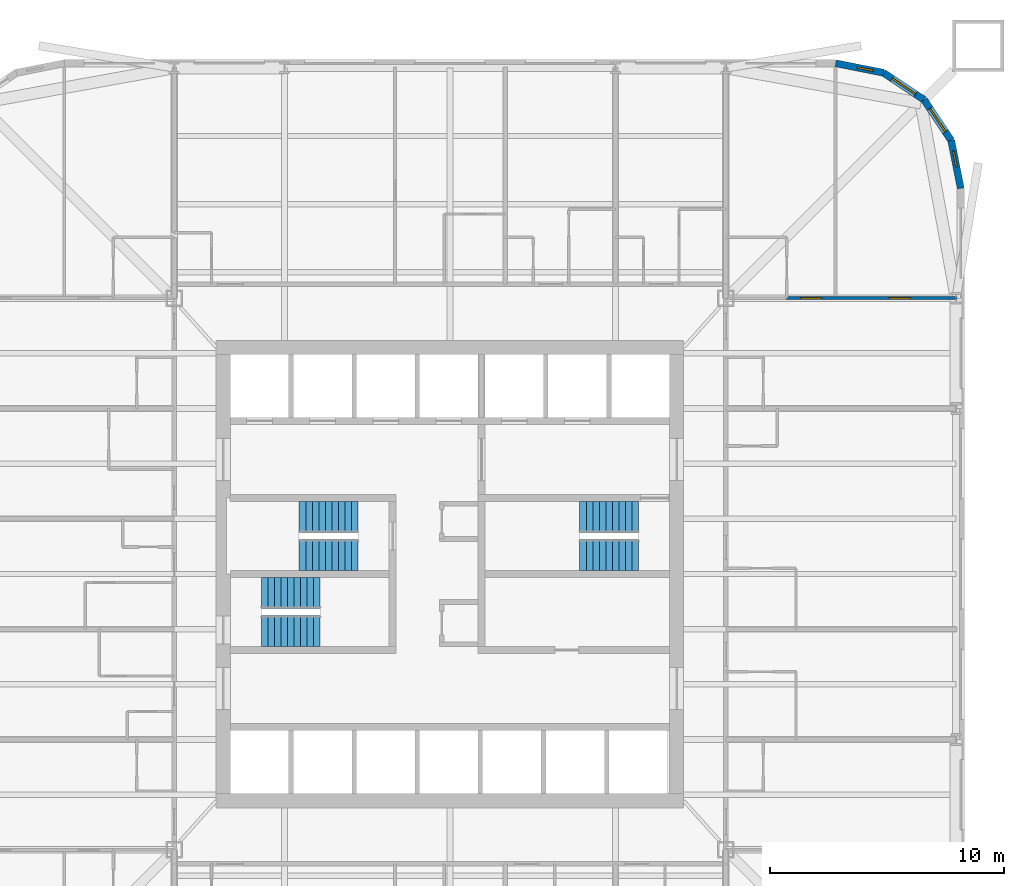
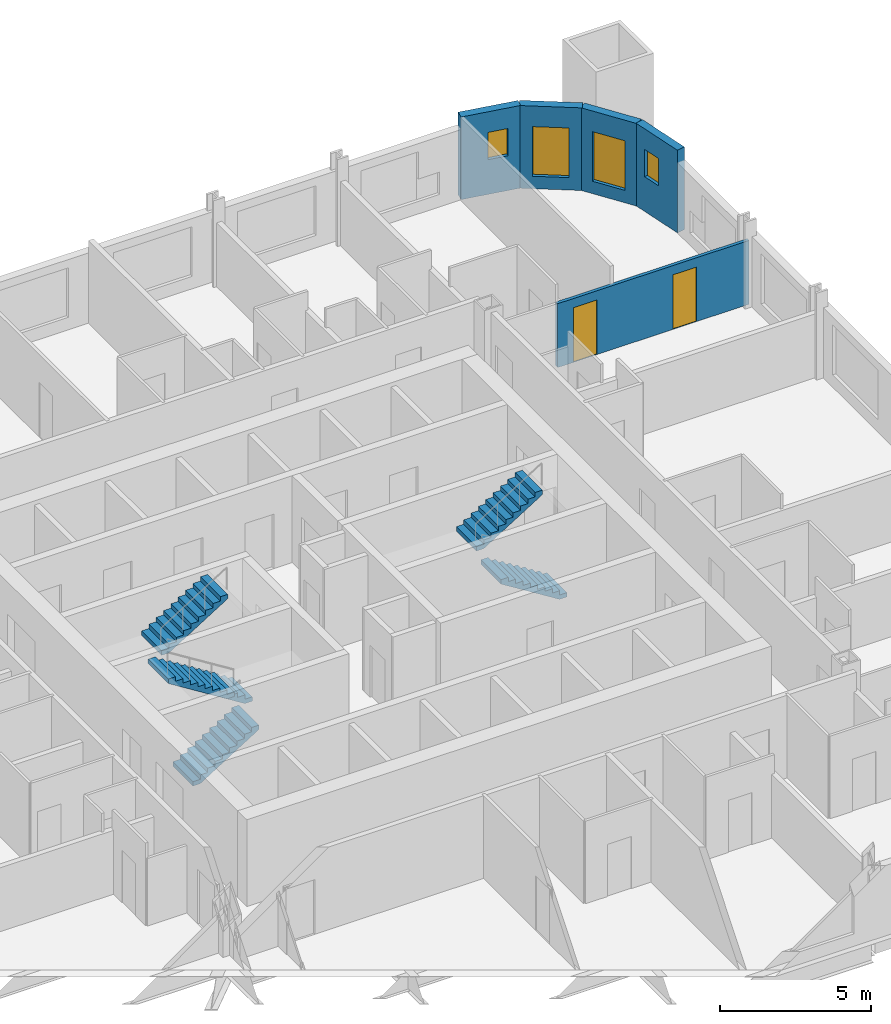
# One storey, part 9 of 10: 6 stair flights, 5 walls, 4 windows, 2 doors, 6 openings, 3 elements without a shape of their own.
"""IFC4 building model written with IfcOpenShell, lengths in metres."""

from ifc_helpers import new_model, si_unit, direction, frame, frame_2d, origin, place, context, subcontext, project, spatial, polyline, rectangle, outline, extrude, material, layer, layer_set, type_object, element, fill, aggregate, save


model = new_model("IFC4")

# Units and contexts
model_context = context("Model", 3, precision=1e-05, world=origin(), true_north=direction((0.0, 1.0)))
body_context = subcontext(model_context, "Body", "Model", "MODEL_VIEW")
ifc_project = project(units=[si_unit("LENGTHUNIT", "METRE"), si_unit("AREAUNIT", "SQUARE_METRE"), si_unit("VOLUMEUNIT", "CUBIC_METRE"), si_unit("PLANEANGLEUNIT", "RADIAN"), si_unit("MASSUNIT", "GRAM", prefix="KILO")], contexts=[model_context])

# Site, building, storey
site_placement = place(None, origin())
site = spatial("IfcSite", under=ifc_project, at=site_placement, CompositionType="ELEMENT")
building_placement = place(site_placement, origin())
building = spatial("IfcBuilding", under=site, at=building_placement, Name="Turquesa Mirador Hotel Tower", CompositionType="ELEMENT")
storey_placement = place(building_placement, frame((0.0, 0.0, 32.0)))
storey = spatial("IfcBuildingStorey", under=building, at=storey_placement, Name="L07", CompositionType="ELEMENT", Elevation=32.0)

# Wall, opening, window
ifc_material_1 = material(Name="Limestone cladding on concrete block", Category="masonry")
ifc_layer_1 = layer(ifc_material_1, 0.300048828125)
ifc_layer_set_1 = layer_set([ifc_layer_1], Name="FACADE WALL 300 STONE SCREEN")
wall_type_1 = type_object("IfcWallType", Name="FACADE WALL 300 STONE SCREEN", PredefinedType="SOLIDWALL", material=ifc_layer_set_1)
wall_1_placement = place(storey_placement, frame((76.85009765625, 61.5, 0.0), z_axis=(0.0, 0.0, 1.0), x_axis=(-0.195081421501, 0.980787050784, 0.0)))
wall_1 = element("IfcWall", 1, at=wall_1_placement, inside=storey, type_object=wall_type_1, Name="Facade wall L07 05", PredefinedType="SOLIDWALL", context=body_context, shape_type="SweptSolid", body=[
    extrude(rectangle(XDim=2.08740234375, YDim=0.300048828125, at=frame_2d((1.043701171875, 0.0))), origin(), (0.0, 0.0, 1.0), 3.330078125),
])
opening_1_placement = place(wall_1_placement, frame((0.943603515625, 0.0, 1.39990234375)))
opening_1 = element("IfcOpeningElement", 2, at=opening_1_placement, cuts=wall_1, Name="Opening WN16", PredefinedType="OPENING", context=body_context, shape_type="SweptSolid", body=[
    extrude(rectangle(XDim=0.699951171875, YDim=1.10009765625, at=frame_2d((0.35009765625, 0.550048828125))), frame((0.0, 0.159912109375, 0.0), z_axis=(0.0, -1.0, 0.0), x_axis=(1.0, 0.0, 0.0)), (0.0, 0.0, 1.0), 0.320068359375),
])
ifc_material_2 = material(Name="Ceramic-fritted laminated glass", Category="glass")
window_type_1 = type_object("IfcWindowType", Name="FRITTED CORNER WINDOW 700X1100", PartitioningType="DOUBLE_PANEL_HORIZONTAL", PredefinedType="WINDOW", material=ifc_material_2)
window_1_placement = place(opening_1_placement, origin())
window_1 = element("IfcWindow", 3, at=window_1_placement, inside=storey, type_object=window_type_1, Name="Window L07", OverallHeight=1.10009765625, OverallWidth=0.699951171875, PartitioningType="SINGLE_PANEL", PredefinedType="WINDOW", context=body_context, shape_type="SweptSolid", body=[
    extrude(rectangle(XDim=0.699951171875, YDim=1.10009765625, at=frame_2d((0.35009765625, 0.550048828125))), frame((0.0, 0.030029296875, 0.0), z_axis=(0.0, -1.0, 0.0), x_axis=(1.0, 0.0, 0.0)), (0.0, 0.0, 1.0), 0.06005859375),
])
fill(opening_1, window_1)

wall_2_placement = place(storey_placement, frame((76.44287109375, 63.54736328125, 0.0), z_axis=(0.0, 0.0, 1.0), x_axis=(-0.555644460423, 0.831420010345, 0.0)))
wall_2 = element("IfcWall", 4, at=wall_2_placement, inside=storey, type_object=wall_type_1, Name="Facade wall L07 06", PredefinedType="SOLIDWALL", context=body_context, shape_type="SweptSolid", body=[
    extrude(rectangle(XDim=2.08740234375, YDim=0.300048828125, at=frame_2d((1.043701171875, 0.0))), origin(), (0.0, 0.0, 1.0), 3.330078125),
])
opening_2_placement = place(wall_2_placement, frame((0.443603515625, 0.0, 0.5)))
opening_2 = element("IfcOpeningElement", 5, at=opening_2_placement, cuts=wall_2, Name="Opening WN4", PredefinedType="OPENING", context=body_context, shape_type="SweptSolid", body=[
    extrude(rectangle(XDim=1.199951171875, YDim=2.0, at=frame_2d((0.60009765625, 1.0))), frame((0.0, 0.159912109375, 0.0), z_axis=(0.0, -1.0, 0.0), x_axis=(1.0, 0.0, 0.0)), (0.0, 0.0, 1.0), 0.320068359375),
])
ifc_material_3 = material(Name="Ceramic-fritted laminated glass", Category="glass")
window_type_2 = type_object("IfcWindowType", Name="FRITTED CORNER WINDOW 1200X2000", PartitioningType="DOUBLE_PANEL_HORIZONTAL", PredefinedType="WINDOW", material=ifc_material_3)
window_2_placement = place(opening_2_placement, origin())
window_2 = element("IfcWindow", 6, at=window_2_placement, inside=storey, type_object=window_type_2, Name="Window L07", OverallHeight=2.0, OverallWidth=1.199951171875, PartitioningType="SINGLE_PANEL", PredefinedType="WINDOW", context=body_context, shape_type="SweptSolid", body=[
    extrude(rectangle(XDim=1.199951171875, YDim=2.0, at=frame_2d((0.60009765625, 1.0))), frame((0.0, 0.030029296875, 0.0), z_axis=(0.0, -1.0, 0.0), x_axis=(1.0, 0.0, 0.0)), (0.0, 0.0, 1.0), 0.06005859375),
])
fill(opening_2, window_2)

wall_3_placement = place(storey_placement, frame((75.282958984375, 65.282958984375, 0.0), z_axis=(0.0, 0.0, 1.0), x_axis=(-0.831420010345, 0.555644460423, 0.0)))
wall_3 = element("IfcWall", 7, at=wall_3_placement, inside=storey, type_object=wall_type_1, Name="Facade wall L07 07", PredefinedType="SOLIDWALL", context=body_context, shape_type="SweptSolid", body=[
    extrude(rectangle(XDim=2.08740234375, YDim=0.300048828125, at=frame_2d((1.043701171875, 0.0))), origin(), (0.0, 0.0, 1.0), 3.330078125),
])
opening_3_placement = place(wall_3_placement, frame((0.443603515625, 0.0, 0.5)))
opening_3 = element("IfcOpeningElement", 8, at=opening_3_placement, cuts=wall_3, Name="Opening WN4", PredefinedType="OPENING", context=body_context, shape_type="SweptSolid", body=[
    extrude(rectangle(XDim=1.199951171875, YDim=2.0, at=frame_2d((0.60009765625, 1.0))), frame((0.0, 0.159912109375, 0.0), z_axis=(0.0, -1.0, 0.0), x_axis=(1.0, 0.0, 0.0)), (0.0, 0.0, 1.0), 0.320068359375),
])
window_3_placement = place(opening_3_placement, origin())
window_3 = element("IfcWindow", 9, at=window_3_placement, inside=storey, type_object=window_type_2, Name="Window L07", OverallHeight=2.0, OverallWidth=1.199951171875, PartitioningType="SINGLE_PANEL", PredefinedType="WINDOW", context=body_context, shape_type="SweptSolid", body=[
    extrude(rectangle(XDim=1.199951171875, YDim=2.0, at=frame_2d((0.60009765625, 1.0))), frame((0.0, 0.030029296875, 0.0), z_axis=(0.0, -1.0, 0.0), x_axis=(1.0, 0.0, 0.0)), (0.0, 0.0, 1.0), 0.06005859375),
])
fill(opening_3, window_3)

wall_4_placement = place(storey_placement, frame((73.54736328125, 66.44287109375, 0.0), z_axis=(0.0, 0.0, 1.0), x_axis=(-0.980787050784, 0.195081421501, 0.0)))
wall_4 = element("IfcWall", 10, at=wall_4_placement, inside=storey, type_object=wall_type_1, Name="Facade wall L07 08", PredefinedType="SOLIDWALL", context=body_context, shape_type="SweptSolid", body=[
    extrude(rectangle(XDim=2.08740234375, YDim=0.300048828125, at=frame_2d((1.043701171875, 0.0))), origin(), (0.0, 0.0, 1.0), 3.330078125),
])
opening_4_placement = place(wall_4_placement, frame((0.443603515625, 0.0, 1.39990234375)))
opening_4 = element("IfcOpeningElement", 11, at=opening_4_placement, cuts=wall_4, Name="Opening WN16", PredefinedType="OPENING", context=body_context, shape_type="SweptSolid", body=[
    extrude(rectangle(XDim=0.699951171875, YDim=1.10009765625, at=frame_2d((0.35009765625, 0.550048828125))), frame((0.0, 0.159912109375, 0.0), z_axis=(0.0, -1.0, 0.0), x_axis=(1.0, 0.0, 0.0)), (0.0, 0.0, 1.0), 0.320068359375),
])
window_4_placement = place(opening_4_placement, origin())
window_4 = element("IfcWindow", 12, at=window_4_placement, inside=storey, type_object=window_type_1, Name="Window L07", OverallHeight=1.10009765625, OverallWidth=0.699951171875, PartitioningType="SINGLE_PANEL", PredefinedType="WINDOW", context=body_context, shape_type="SweptSolid", body=[
    extrude(rectangle(XDim=0.699951171875, YDim=1.10009765625, at=frame_2d((0.35009765625, 0.550048828125))), frame((0.0, 0.030029296875, 0.0), z_axis=(0.0, -1.0, 0.0), x_axis=(1.0, 0.0, 0.0)), (0.0, 0.0, 1.0), 0.06005859375),
])
fill(opening_4, window_4)

# Wall, openings, doors
ifc_material_4 = material(Name="Acoustic gypsum board on steel studs", Category="steel")
ifc_layer_2 = layer(ifc_material_4, 0.125)
ifc_layer_set_2 = layer_set([ifc_layer_2], Name="SUITE PARTITION 125")
wall_type_2 = type_object("IfcWallType", Name="SUITE PARTITION 125", PredefinedType="PARTITIONING", material=ifc_layer_set_2)
wall_5_placement = place(storey_placement, frame((69.39990234375, 56.800048828125, 0.0), z_axis=(0.0, 0.0, 1.0), x_axis=(1.0, 0.0, 0.0)))
wall_5 = element("IfcWall", 13, at=wall_5_placement, inside=storey, type_object=wall_type_2, Name="Partition L07 027", PredefinedType="PARTITIONING", context=body_context, shape_type="SweptSolid", body=[
    extrude(rectangle(XDim=7.300048828125, YDim=0.125, at=frame_2d((3.64990234375, 0.0))), origin(), (0.0, 0.0, 1.0), 2.572998046875),
])
opening_5_placement = place(wall_5_placement, frame((0.60009765625, 0.0, 0.0)))
opening_5 = element("IfcOpeningElement", 14, at=opening_5_placement, cuts=wall_5, Name="Opening D17", PredefinedType="OPENING", context=body_context, shape_type="SweptSolid", body=[
    extrude(rectangle(XDim=0.89990234375, YDim=2.199951171875, at=frame_2d((0.449951171875, 1.10009765625))), frame((0.0, 0.072509765625, 0.0), z_axis=(0.0, -1.0, 0.0), x_axis=(1.0, 0.0, 0.0)), (0.0, 0.0, 1.0), 0.14501953125),
])
opening_6_placement = place(wall_5_placement, frame((4.39990234375, 0.0, 0.0)))
opening_6 = element("IfcOpeningElement", 15, at=opening_6_placement, cuts=wall_5, Name="Opening D17", PredefinedType="OPENING", context=body_context, shape_type="SweptSolid", body=[
    extrude(rectangle(XDim=0.89990234375, YDim=2.199951171875, at=frame_2d((0.449951171875, 1.10009765625))), frame((0.0, 0.072509765625, 0.0), z_axis=(0.0, -1.0, 0.0), x_axis=(1.0, 0.0, 0.0)), (0.0, 0.0, 1.0), 0.14501953125),
])
ifc_material_5 = material(Name="Timber veneered door", Category="wood")
door_type = type_object("IfcDoorType", Name="DOOR 900X2200 SUITE INTERNAL", OperationType="SINGLE_SWING_LEFT", PredefinedType="DOOR", material=ifc_material_5)
door_1_placement = place(opening_5_placement, origin())
door_1 = element("IfcDoor", 16, at=door_1_placement, inside=storey, type_object=door_type, Name="Door 0712R", OperationType="SINGLE_SWING_LEFT", OverallHeight=2.199951171875, OverallWidth=0.89990234375, PredefinedType="DOOR", context=body_context, shape_type="SweptSolid", body=[
    extrude(rectangle(XDim=0.89990234375, YDim=2.199951171875, at=frame_2d((0.449951171875, 1.10009765625))), frame((0.0, 0.02490234375, 0.0), z_axis=(0.0, -1.0, 0.0), x_axis=(1.0, 0.0, 0.0)), (0.0, 0.0, 1.0), 0.050048828125),
])
fill(opening_5, door_1)
door_2_placement = place(opening_6_placement, origin())
door_2 = element("IfcDoor", 17, at=door_2_placement, inside=storey, type_object=door_type, Name="Door 0712S", OperationType="SINGLE_SWING_LEFT", OverallHeight=2.199951171875, OverallWidth=0.89990234375, PredefinedType="DOOR", context=body_context, shape_type="SweptSolid", body=[
    extrude(rectangle(XDim=0.89990234375, YDim=2.199951171875, at=frame_2d((0.449951171875, 1.10009765625))), frame((0.0, 0.02490234375, 0.0), z_axis=(0.0, -1.0, 0.0), x_axis=(1.0, 0.0, 0.0)), (0.0, 0.0, 1.0), 0.050048828125),
])
fill(opening_6, door_2)

# Stair, stair flights
ifc_material_6 = material(Name="Concrete C35/45", Category="concrete")
stair_type = type_object("IfcStairType", Name="ESCAPE STAIR CORE", PredefinedType="HALF_TURN_STAIR", material=ifc_material_6)
stair_1_placement = place(storey_placement, origin())
stair_1 = element("IfcStair", 18, at=stair_1_placement, inside=storey, type_object=stair_type, Name="Stair ST1 L07 to L08", PredefinedType="HALF_TURN_STAIR")
ifc_material_7 = material(Name="Concrete C35/45 precast flight", Category="concrete")
stair_flight_type = type_object("IfcStairFlightType", Name="STAIR FLIGHT 1330", PredefinedType="STRAIGHT", material=ifc_material_7)
stair_flight_1_placement = place(storey_placement, frame((51.070068359375, 45.81494140625, 0.0), z_axis=(0.0, 0.0, 1.0), x_axis=(-1.0, 0.0, 0.0)))
stair_flight_1 = element("IfcStairFlight", 19, at=stair_flight_1_placement, type_object=stair_flight_type, Name="ST1 flight 1", NumberOfRisers=10, NumberOfTreads=9, PredefinedType="STRAIGHT", RiserHeight=0.175, TreadLength=0.28, context=body_context, shape_type="SweptSolid", body=[
    extrude(outline(polyline([(0.0, 0.0), (0.0, 0.175048828125), (0.280029296875, 0.175048828125), (0.280029296875, 0.35009765625), (0.56005859375, 0.35009765625), (0.56005859375, 0.52490234375), (0.840087890625, 0.52490234375), (0.840087890625, 0.699951171875), (1.1201171875, 0.699951171875), (1.1201171875, 0.875), (1.39990234375, 0.875), (1.39990234375, 1.050048828125), (1.679931640625, 1.050048828125), (1.679931640625, 1.22509765625), (1.9599609375, 1.22509765625), (1.9599609375, 1.39990234375), (2.239990234375, 1.39990234375), (2.239990234375, 1.574951171875), (2.52001953125, 1.574951171875), (2.52001953125, 1.75), (2.52001953125, 1.398193359375), (0.28271484375, 0.0), (0.0, 0.0)])), frame((0.0, 0.6650390625, 0.0), z_axis=(0.0, -1.0, 0.0), x_axis=(1.0, 0.0, 0.0)), (0.0, 0.0, 1.0), 1.330078125),
])
stair_flight_2_placement = place(storey_placement, frame((48.550048828125, 47.43505859375, 1.75), z_axis=(0.0, 0.0, 1.0), x_axis=(1.0, 0.0, 0.0)))
stair_flight_2 = element("IfcStairFlight", 20, at=stair_flight_2_placement, type_object=stair_flight_type, Name="ST1 flight 2", NumberOfRisers=10, NumberOfTreads=9, PredefinedType="STRAIGHT", RiserHeight=0.175, TreadLength=0.28, context=body_context, shape_type="SweptSolid", body=[
    extrude(outline(polyline([(0.0, 0.0), (0.0, 0.175048828125), (0.280029296875, 0.175048828125), (0.280029296875, 0.35009765625), (0.56005859375, 0.35009765625), (0.56005859375, 0.52490234375), (0.840087890625, 0.52490234375), (0.840087890625, 0.699951171875), (1.1201171875, 0.699951171875), (1.1201171875, 0.875), (1.39990234375, 0.875), (1.39990234375, 1.050048828125), (1.679931640625, 1.050048828125), (1.679931640625, 1.22509765625), (1.9599609375, 1.22509765625), (1.9599609375, 1.39990234375), (2.239990234375, 1.39990234375), (2.239990234375, 1.574951171875), (2.52001953125, 1.574951171875), (2.52001953125, 1.75), (2.52001953125, 1.398193359375), (0.28271484375, 0.0), (0.0, 0.0)])), frame((0.0, 0.6650390625, 0.0), z_axis=(0.0, -1.0, 0.0), x_axis=(1.0, 0.0, 0.0)), (0.0, 0.0, 1.0), 1.330078125),
])
aggregate(stair_1, [stair_flight_1, stair_flight_2])

stair_2_placement = place(storey_placement, origin())
stair_2 = element("IfcStair", 21, at=stair_2_placement, inside=storey, type_object=stair_type, Name="Stair ST2 L07 to L08", PredefinedType="HALF_TURN_STAIR")
stair_flight_3_placement = place(storey_placement, frame((46.929931640625, 42.56494140625, 0.0), z_axis=(0.0, 0.0, 1.0), x_axis=(1.0, 0.0, 0.0)))
stair_flight_3 = element("IfcStairFlight", 22, at=stair_flight_3_placement, type_object=stair_flight_type, Name="ST2 flight 1", NumberOfRisers=10, NumberOfTreads=9, PredefinedType="STRAIGHT", RiserHeight=0.175, TreadLength=0.28, context=body_context, shape_type="SweptSolid", body=[
    extrude(outline(polyline([(0.0, 0.0), (0.0, 0.175048828125), (0.280029296875, 0.175048828125), (0.280029296875, 0.35009765625), (0.56005859375, 0.35009765625), (0.56005859375, 0.52490234375), (0.840087890625, 0.52490234375), (0.840087890625, 0.699951171875), (1.1201171875, 0.699951171875), (1.1201171875, 0.875), (1.39990234375, 0.875), (1.39990234375, 1.050048828125), (1.679931640625, 1.050048828125), (1.679931640625, 1.22509765625), (1.9599609375, 1.22509765625), (1.9599609375, 1.39990234375), (2.239990234375, 1.39990234375), (2.239990234375, 1.574951171875), (2.52001953125, 1.574951171875), (2.52001953125, 1.75), (2.52001953125, 1.398193359375), (0.28271484375, 0.0), (0.0, 0.0)])), frame((0.0, 0.6650390625, 0.0), z_axis=(0.0, -1.0, 0.0), x_axis=(1.0, 0.0, 0.0)), (0.0, 0.0, 1.0), 1.330078125),
])
stair_flight_4_placement = place(storey_placement, frame((49.449951171875, 44.18505859375, 1.75), z_axis=(0.0, 0.0, 1.0), x_axis=(-1.0, 0.0, 0.0)))
stair_flight_4 = element("IfcStairFlight", 23, at=stair_flight_4_placement, type_object=stair_flight_type, Name="ST2 flight 2", NumberOfRisers=10, NumberOfTreads=9, PredefinedType="STRAIGHT", RiserHeight=0.175, TreadLength=0.28, context=body_context, shape_type="SweptSolid", body=[
    extrude(outline(polyline([(0.0, 0.0), (0.0, 0.175048828125), (0.280029296875, 0.175048828125), (0.280029296875, 0.35009765625), (0.56005859375, 0.35009765625), (0.56005859375, 0.52490234375), (0.840087890625, 0.52490234375), (0.840087890625, 0.699951171875), (1.1201171875, 0.699951171875), (1.1201171875, 0.875), (1.39990234375, 0.875), (1.39990234375, 1.050048828125), (1.679931640625, 1.050048828125), (1.679931640625, 1.22509765625), (1.9599609375, 1.22509765625), (1.9599609375, 1.39990234375), (2.239990234375, 1.39990234375), (2.239990234375, 1.574951171875), (2.52001953125, 1.574951171875), (2.52001953125, 1.75), (2.52001953125, 1.398193359375), (0.28271484375, 0.0), (0.0, 0.0)])), frame((0.0, 0.6650390625, 0.0), z_axis=(0.0, -1.0, 0.0), x_axis=(1.0, 0.0, 0.0)), (0.0, 0.0, 1.0), 1.330078125),
])
aggregate(stair_2, [stair_flight_3, stair_flight_4])

stair_3_placement = place(storey_placement, origin())
stair_3 = element("IfcStair", 24, at=stair_3_placement, inside=storey, type_object=stair_type, Name="Stair ST3 L07 to L08", PredefinedType="HALF_TURN_STAIR")
stair_flight_5_placement = place(storey_placement, frame((63.070068359375, 45.81494140625, 0.0), z_axis=(0.0, 0.0, 1.0), x_axis=(-1.0, 0.0, 0.0)))
stair_flight_5 = element("IfcStairFlight", 25, at=stair_flight_5_placement, type_object=stair_flight_type, Name="ST3 flight 1", NumberOfRisers=10, NumberOfTreads=9, PredefinedType="STRAIGHT", RiserHeight=0.175, TreadLength=0.28, context=body_context, shape_type="SweptSolid", body=[
    extrude(outline(polyline([(0.0, 0.0), (0.0, 0.175048828125), (0.280029296875, 0.175048828125), (0.280029296875, 0.35009765625), (0.56005859375, 0.35009765625), (0.56005859375, 0.52490234375), (0.840087890625, 0.52490234375), (0.840087890625, 0.699951171875), (1.1201171875, 0.699951171875), (1.1201171875, 0.875), (1.39990234375, 0.875), (1.39990234375, 1.050048828125), (1.679931640625, 1.050048828125), (1.679931640625, 1.22509765625), (1.9599609375, 1.22509765625), (1.9599609375, 1.39990234375), (2.239990234375, 1.39990234375), (2.239990234375, 1.574951171875), (2.52001953125, 1.574951171875), (2.52001953125, 1.75), (2.52001953125, 1.398193359375), (0.28271484375, 0.0), (0.0, 0.0)])), frame((0.0, 0.6650390625, 0.0), z_axis=(0.0, -1.0, 0.0), x_axis=(1.0, 0.0, 0.0)), (0.0, 0.0, 1.0), 1.330078125),
])
stair_flight_6_placement = place(storey_placement, frame((60.550048828125, 47.43505859375, 1.75), z_axis=(0.0, 0.0, 1.0), x_axis=(1.0, 0.0, 0.0)))
stair_flight_6 = element("IfcStairFlight", 26, at=stair_flight_6_placement, type_object=stair_flight_type, Name="ST3 flight 2", NumberOfRisers=10, NumberOfTreads=9, PredefinedType="STRAIGHT", RiserHeight=0.175, TreadLength=0.28, context=body_context, shape_type="SweptSolid", body=[
    extrude(outline(polyline([(0.0, 0.0), (0.0, 0.175048828125), (0.280029296875, 0.175048828125), (0.280029296875, 0.35009765625), (0.56005859375, 0.35009765625), (0.56005859375, 0.52490234375), (0.840087890625, 0.52490234375), (0.840087890625, 0.699951171875), (1.1201171875, 0.699951171875), (1.1201171875, 0.875), (1.39990234375, 0.875), (1.39990234375, 1.050048828125), (1.679931640625, 1.050048828125), (1.679931640625, 1.22509765625), (1.9599609375, 1.22509765625), (1.9599609375, 1.39990234375), (2.239990234375, 1.39990234375), (2.239990234375, 1.574951171875), (2.52001953125, 1.574951171875), (2.52001953125, 1.75), (2.52001953125, 1.398193359375), (0.28271484375, 0.0), (0.0, 0.0)])), frame((0.0, 0.6650390625, 0.0), z_axis=(0.0, -1.0, 0.0), x_axis=(1.0, 0.0, 0.0)), (0.0, 0.0, 1.0), 1.330078125),
])
aggregate(stair_3, [stair_flight_5, stair_flight_6])

save(model, "model.ifc")
